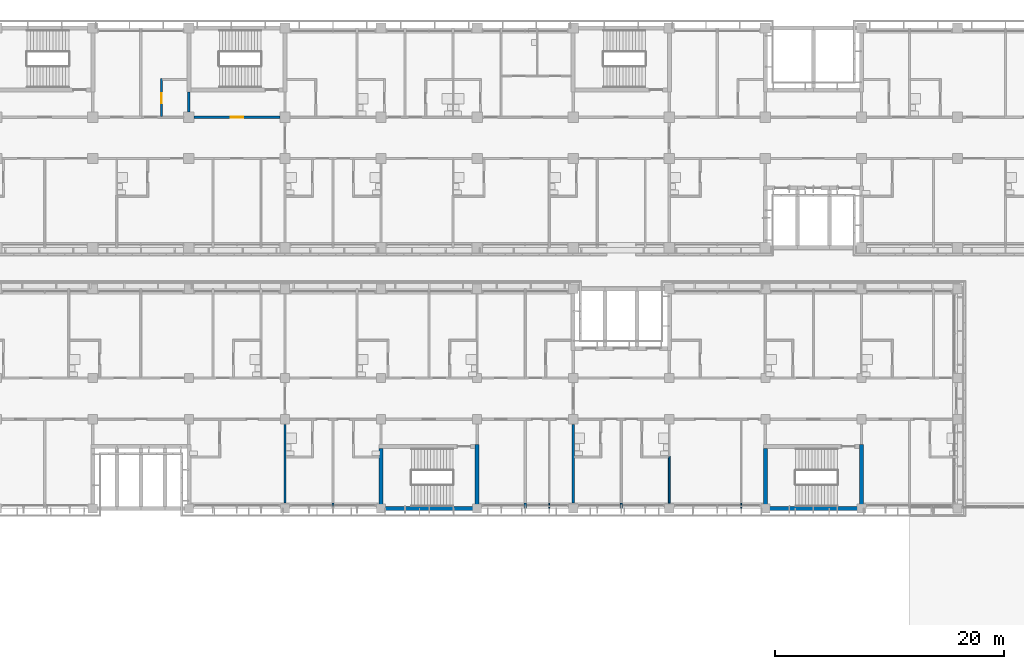
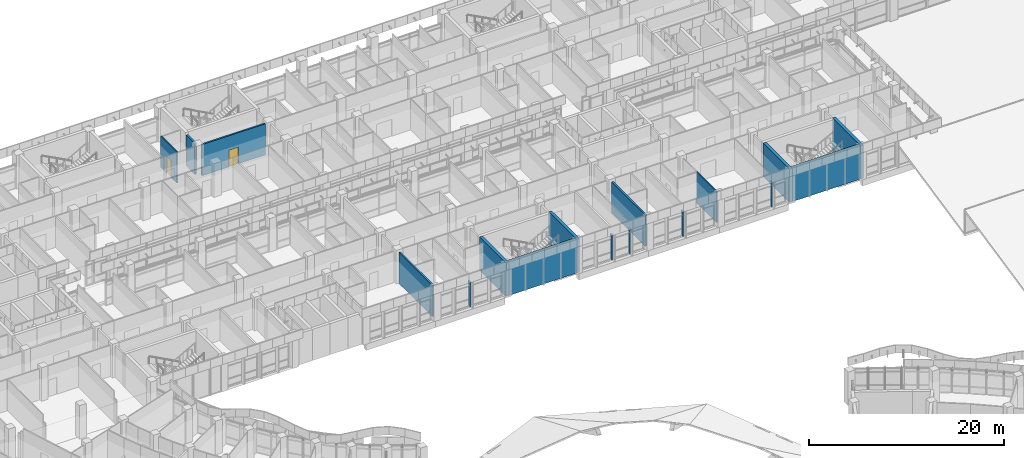
# One storey, part 78 of 137: 17 walls, 2 doors, 2 openings.
"""IFC4 building model written with IfcOpenShell, lengths in metres."""

from ifc_helpers import new_model, si_unit, direction, frame, frame_2d, origin, place, context, subcontext, project, spatial, rectangle, extrude, material, layer, layer_set, type_object, element, fill, save


model = new_model("IFC4")

# Units and contexts
model_context = context("Model", 3, precision=1e-05, world=origin(), true_north=direction((0.0, 1.0)))
body_context = subcontext(model_context, "Body", "Model", "MODEL_VIEW")
ifc_project = project(units=[si_unit("LENGTHUNIT", "METRE"), si_unit("AREAUNIT", "SQUARE_METRE"), si_unit("VOLUMEUNIT", "CUBIC_METRE"), si_unit("PLANEANGLEUNIT", "RADIAN"), si_unit("MASSUNIT", "GRAM", prefix="KILO")], contexts=[model_context])

# Site, building, storey
site_placement = place(None, origin())
site = spatial("IfcSite", under=ifc_project, at=site_placement, CompositionType="ELEMENT")
building_placement = place(site_placement, origin())
building = spatial("IfcBuilding", under=site, at=building_placement, Name="Bougainvillea Quay General Hospital", CompositionType="ELEMENT")
storey_placement = place(building_placement, frame((0.0, 0.0, 16.800048828125)))
storey = spatial("IfcBuildingStorey", under=building, at=storey_placement, Name="L03", CompositionType="ELEMENT", Elevation=16.800048828125)

# Walls
ifc_material_1 = material(Name="Gypsum board partition on steel studs", Category="steel")
ifc_layer_1 = layer(ifc_material_1, 0.10009765625)
ifc_layer_set_1 = layer_set([ifc_layer_1], Name="Gypsum board partition on steel studs")
wall_type_1 = type_object("IfcWallType", Name="Partition 100 Gypsum board partition", PredefinedType="PARTITIONING", material=ifc_layer_set_1)
for number, where, z_axis, x_axis, name in (
    (1, (132.300048828125, 117.60009765625, 0.0), (0.0, 0.0, 1.0), (0.0, 1.0, 0.0), "Partition 100 mm"),
    (2, (149.10009765625, 117.60009765625, 0.0), (0.0, 0.0, 1.0), (0.0, 1.0, 0.0), "Partition 100 mm"),
):
    element("IfcWall", number, at=place(storey_placement, frame(where, z_axis=z_axis, x_axis=x_axis)), inside=storey, type_object=wall_type_1, Name=name, PredefinedType="PARTITIONING", context=body_context, shape_type="SweptSolid", body=[
        extrude(rectangle(XDim=0.449951171875, YDim=0.10009765625, at=frame_2d((0.22509765625, 0.0))), origin(), (0.0, 0.0, 1.0), 3.079833984375),
    ])
ifc_material_2 = material(Name="Gypsum board partition on steel studs, insulated", Category="steel")
ifc_layer_2 = layer(ifc_material_2, 0.14990234375)
ifc_layer_set_2 = layer_set([ifc_layer_2], Name="Gypsum board partition on steel studs, insulated")
wall_type_2 = type_object("IfcWallType", Name="Partition 150 Gypsum board partition", PredefinedType="PARTITIONING", material=ifc_layer_set_2)
for number, where, z_axis, x_axis, name in (
    (3, (113.39990234375, 117.60009765625, 0.0), (0.0, 0.0, 1.0), (0.0, 1.0, 0.0), "Partition 150 mm"),
    (4, (138.60009765625, 117.60009765625, 0.0), (0.0, 0.0, 1.0), (0.0, 1.0, 0.0), "Partition 150 mm"),
):
    element("IfcWall", number, at=place(storey_placement, frame(where, z_axis=z_axis, x_axis=x_axis)), inside=storey, type_object=wall_type_2, Name=name, PredefinedType="PARTITIONING", context=body_context, shape_type="SweptSolid", body=[
        extrude(rectangle(XDim=0.449951171875, YDim=0.14990234375, at=frame_2d((0.22509765625, 0.0))), origin(), (0.0, 0.0, 1.0), 3.079833984375),
    ])
wall_1_placement = place(storey_placement, frame((142.800048828125, 118.050048828125, 0.0), z_axis=(0.0, 0.0, 1.0), x_axis=(0.0, 1.0, 0.0)))
element("IfcWall", 5, at=wall_1_placement, inside=storey, type_object=wall_type_2, Name="Partition 150 mm", PredefinedType="PARTITIONING", context=body_context, shape_type="SweptSolid", body=[
    extrude(rectangle(XDim=4.125, YDim=0.14990234375, at=frame_2d((2.0625, 0.0))), origin(), (0.0, 0.0, 1.0), 3.89990234375),
])

# Wall, opening, door
wall_2_placement = place(storey_placement, frame((98.39990234375, 151.875, 0.0), z_axis=(0.0, 0.0, 1.0), x_axis=(0.0, 1.0, 0.0)))
wall_2 = element("IfcWall", 6, at=wall_2_placement, inside=storey, type_object=wall_type_2, Name="Partition 150 mm", PredefinedType="PARTITIONING", context=body_context, shape_type="SweptSolid", body=[
    extrude(rectangle(XDim=3.300048828125, YDim=0.14990234375, at=frame_2d((1.64990234375, 0.0))), origin(), (0.0, 0.0, 1.0), 3.89990234375),
])
opening_1_placement = place(wall_2_placement, frame((1.125, 0.0, 0.0)))
opening_1 = element("IfcOpeningElement", 7, at=opening_1_placement, cuts=wall_2, Name="Opening L03.029", PredefinedType="OPENING", context=body_context, shape_type="SweptSolid", body=[
    extrude(rectangle(XDim=0.89990234375, YDim=2.10009765625, at=frame_2d((0.449951171875, 1.050048828125))), frame((0.0, 0.0849609375, 0.0), z_axis=(0.0, -1.0, 0.0), x_axis=(1.0, 0.0, 0.0)), (0.0, 0.0, 1.0), 0.169921875),
])
ifc_material_3 = material(Name="Solid-core timber door leaf in steel frame", Category="steel")
door_type_1 = type_object("IfcDoorType", Name="Single leaf door 900x2100", OperationType="NOTDEFINED", PredefinedType="DOOR", material=ifc_material_3)
door_1_placement = place(opening_1_placement, frame((0.89990234375, 0.0, 0.0), z_axis=(0.0, 0.0, 1.0), x_axis=(-1.0, 0.0, 0.0)))
door_1 = element("IfcDoor", 8, at=door_1_placement, inside=storey, type_object=door_type_1, Name="DT07 L03.029", OperationType="SINGLE_SWING_RIGHT", OverallHeight=2.10009765625, OverallWidth=0.89990234375, PredefinedType="DOOR", context=body_context, shape_type="SweptSolid", body=[
    extrude(rectangle(XDim=0.89990234375, YDim=2.10009765625, at=frame_2d((0.449951171875, 1.050048828125))), frame((0.0, 0.02490234375, 0.0), z_axis=(0.0, -1.0, 0.0), x_axis=(1.0, 0.0, 0.0)), (0.0, 0.0, 1.0), 0.050048828125),
])
fill(opening_1, door_1)

# Walls
ifc_material_4 = material(Name="Fire-rated autoclaved aerated block wall, plastered")
ifc_layer_3 = layer(ifc_material_4, 0.199951171875)
ifc_layer_set_3 = layer_set([ifc_layer_3], Name="Fire-rated autoclaved aerated block wall, plastered")
wall_type_3 = type_object("IfcWallType", Name="Partition 200 Fire-rated autoclaved aerated block wall EI 120", PredefinedType="SOLIDWALL", material=ifc_layer_set_3)
for number, where, z_axis, x_axis, name in (
    (9, (109.199951171875, 124.949951171875, 0.0), (0.0, 0.0, 1.0), (0.0, -1.0, 0.0), "Partition 200 mm EI 120"),
    (10, (134.39990234375, 124.949951171875, 0.0), (0.0, 0.0, 1.0), (0.0, -1.0, 0.0), "Partition 200 mm EI 120"),
):
    element("IfcWall", number, at=place(storey_placement, frame(where, z_axis=z_axis, x_axis=x_axis)), inside=storey, type_object=wall_type_3, Name=name, PredefinedType="SOLIDWALL", context=body_context, shape_type="SweptSolid", body=[
        extrude(rectangle(XDim=6.89990234375, YDim=0.199951171875, at=frame_2d((3.449951171875, 0.0))), origin(), (0.0, 0.0, 1.0), 3.89990234375),
    ])

# Wall, opening, door
wall_3_placement = place(storey_placement, frame((101.25, 151.800048828125, 0.0), z_axis=(0.0, 0.0, 1.0), x_axis=(1.0, 0.0, 0.0)))
wall_3 = element("IfcWall", 11, at=wall_3_placement, inside=storey, type_object=wall_type_3, Name="Partition 200 mm EI 120", PredefinedType="SOLIDWALL", context=body_context, shape_type="SweptSolid", body=[
    extrude(rectangle(XDim=7.5, YDim=0.199951171875, at=frame_2d((3.75, 0.0))), origin(), (0.0, 0.0, 1.0), 3.89990234375),
])
opening_2_placement = place(wall_3_placement, frame((3.199951171875, 0.0, 0.0)))
opening_2 = element("IfcOpeningElement", 12, at=opening_2_placement, cuts=wall_3, Name="Opening L03.214", PredefinedType="OPENING", context=body_context, shape_type="SweptSolid", body=[
    extrude(rectangle(XDim=1.10009765625, YDim=2.10009765625, at=frame_2d((0.550048828125, 1.050048828125))), frame((0.0, 0.10986328125, 0.0), z_axis=(0.0, -1.0, 0.0), x_axis=(1.0, 0.0, 0.0)), (0.0, 0.0, 1.0), 0.219970703125),
])
ifc_material_5 = material(Name="Steel fire door leaf in steel frame", Category="steel")
door_type_2 = type_object("IfcDoorType", Name="Steel single leaf door 1100x2100 FD60", OperationType="NOTDEFINED", PredefinedType="DOOR", material=ifc_material_5)
door_2_placement = place(opening_2_placement, origin())
door_2 = element("IfcDoor", 13, at=door_2_placement, inside=storey, type_object=door_type_2, Name="DT04 L03.214", OperationType="SINGLE_SWING_RIGHT", OverallHeight=2.10009765625, OverallWidth=1.10009765625, PredefinedType="DOOR", context=body_context, shape_type="SweptSolid", body=[
    extrude(rectangle(XDim=1.10009765625, YDim=2.10009765625, at=frame_2d((0.550048828125, 1.050048828125))), frame((0.0, 0.02490234375, 0.0), z_axis=(0.0, -1.0, 0.0), x_axis=(1.0, 0.0, 0.0)), (0.0, 0.0, 1.0), 0.050048828125),
])
fill(opening_2, door_2)

# Walls
wall_4_placement = place(storey_placement, frame((130.199951171875, 117.60009765625, 0.0), z_axis=(0.0, 0.0, 1.0), x_axis=(0.0, 1.0, 0.0)))
element("IfcWall", 14, at=wall_4_placement, inside=storey, type_object=wall_type_3, Name="Partition 200 mm EI 120", PredefinedType="SOLIDWALL", context=body_context, shape_type="SweptSolid", body=[
    extrude(rectangle(XDim=0.449951171875, YDim=0.199951171875, at=frame_2d((0.22509765625, 0.0))), origin(), (0.0, 0.0, 1.0), 3.079833984375),
])
wall_5_placement = place(storey_placement, frame((100.800048828125, 152.25, 0.0), z_axis=(0.0, 0.0, 1.0), x_axis=(0.0, 1.0, 0.0)))
element("IfcWall", 15, at=wall_5_placement, inside=storey, type_object=wall_type_3, Name="Partition 200 mm EI 120", PredefinedType="SOLIDWALL", context=body_context, shape_type="SweptSolid", body=[
    extrude(rectangle(XDim=1.77490234375, YDim=0.199951171875, at=frame_2d((0.887451171875, 0.0))), origin(), (0.0, 0.0, 1.0), 3.89990234375),
])
ifc_material_6 = material(Name="Concrete C40", Category="concrete")
ifc_layer_4 = layer(ifc_material_6, 0.35009765625)
ifc_layer_set_4 = layer_set([ifc_layer_4], Name="Concrete C40")
wall_type_4 = type_object("IfcWallType", Name="RC SHEAR WALL 350 C40", PredefinedType="SHEAR", material=ifc_layer_set_4)
wall_6_placement = place(storey_placement, frame((117.60009765625, 117.425048828125, 0.0), z_axis=(0.0, 0.0, 1.0), x_axis=(0.0, 1.0, 0.0)))
element("IfcWall", 16, at=wall_6_placement, inside=storey, type_object=wall_type_4, Name="Shear wall L03", PredefinedType="SHEAR", context=body_context, shape_type="SweptSolid", body=[
    extrude(rectangle(XDim=5.39990234375, YDim=0.35009765625, at=frame_2d((2.699951171875, 0.0))), origin(), (0.0, 0.0, 1.0), 4.199951171875),
])
wall_7_placement = place(storey_placement, frame((117.77490234375, 117.60009765625, 0.0), z_axis=(0.0, 0.0, 1.0), x_axis=(1.0, 0.0, 0.0)))
element("IfcWall", 17, at=wall_7_placement, inside=storey, type_object=wall_type_4, Name="Shear wall L03", PredefinedType="SHEAR", context=body_context, shape_type="SweptSolid", body=[
    extrude(rectangle(XDim=8.050048828125, YDim=0.35009765625, at=frame_2d((4.02490234375, 0.0))), origin(), (0.0, 0.0, 1.0), 4.199951171875),
])
wall_8_placement = place(storey_placement, frame((126.0, 117.425048828125, 0.0), z_axis=(0.0, 0.0, 1.0), x_axis=(0.0, 1.0, 0.0)))
element("IfcWall", 18, at=wall_8_placement, inside=storey, type_object=wall_type_4, Name="Shear wall L03", PredefinedType="SHEAR", context=body_context, shape_type="SweptSolid", body=[
    extrude(rectangle(XDim=5.75, YDim=0.35009765625, at=frame_2d((2.875, 0.0))), origin(), (0.0, 0.0, 1.0), 4.199951171875),
])
wall_9_placement = place(storey_placement, frame((151.199951171875, 117.425048828125, 0.0), z_axis=(0.0, 0.0, 1.0), x_axis=(0.0, 1.0, 0.0)))
element("IfcWall", 19, at=wall_9_placement, inside=storey, type_object=wall_type_4, Name="Shear wall L03", PredefinedType="SHEAR", context=body_context, shape_type="SweptSolid", body=[
    extrude(rectangle(XDim=5.39990234375, YDim=0.35009765625, at=frame_2d((2.699951171875, 0.0))), origin(), (0.0, 0.0, 1.0), 4.199951171875),
])
wall_10_placement = place(storey_placement, frame((151.375, 117.60009765625, 0.0), z_axis=(0.0, 0.0, 1.0), x_axis=(1.0, 0.0, 0.0)))
element("IfcWall", 20, at=wall_10_placement, inside=storey, type_object=wall_type_4, Name="Shear wall L03", PredefinedType="SHEAR", context=body_context, shape_type="SweptSolid", body=[
    extrude(rectangle(XDim=8.050048828125, YDim=0.35009765625, at=frame_2d((4.02490234375, 0.0))), origin(), (0.0, 0.0, 1.0), 4.199951171875),
])
wall_11_placement = place(storey_placement, frame((159.60009765625, 117.425048828125, 0.0), z_axis=(0.0, 0.0, 1.0), x_axis=(0.0, 1.0, 0.0)))
element("IfcWall", 21, at=wall_11_placement, inside=storey, type_object=wall_type_4, Name="Shear wall L03", PredefinedType="SHEAR", context=body_context, shape_type="SweptSolid", body=[
    extrude(rectangle(XDim=5.75, YDim=0.35009765625, at=frame_2d((2.875, 0.0))), origin(), (0.0, 0.0, 1.0), 4.199951171875),
])

save(model, "model.ifc")
